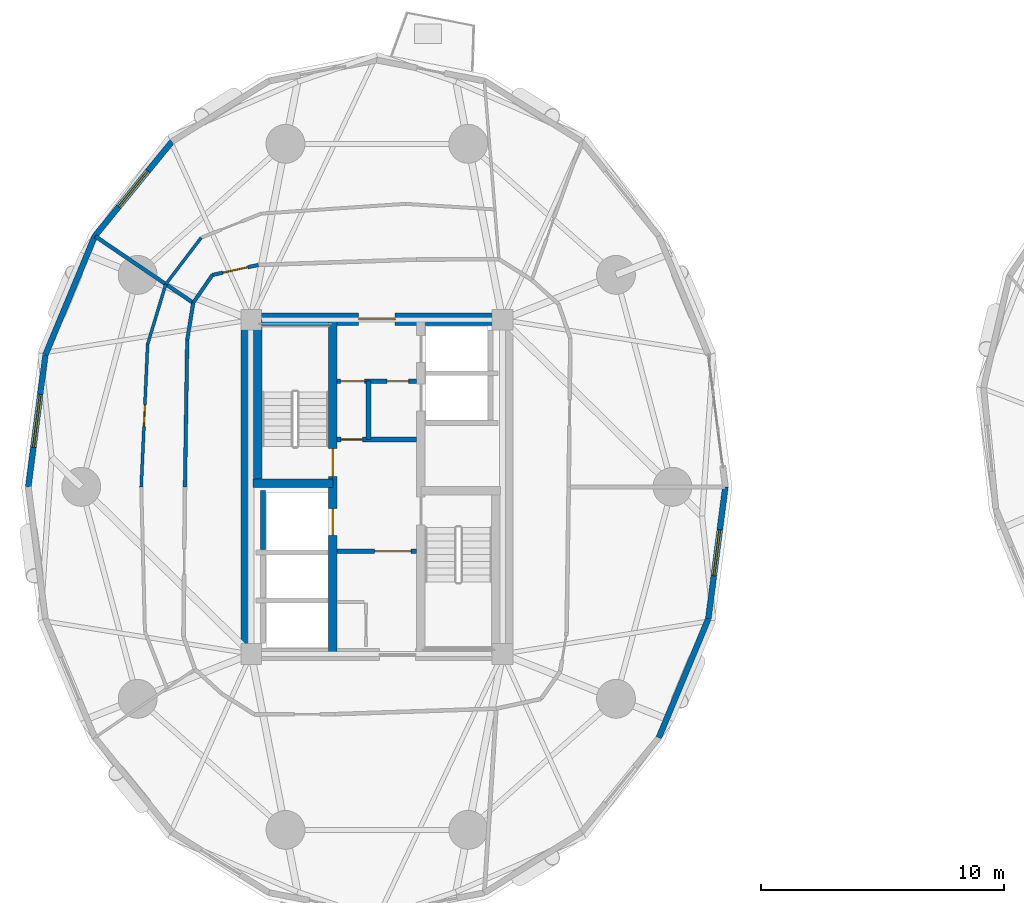
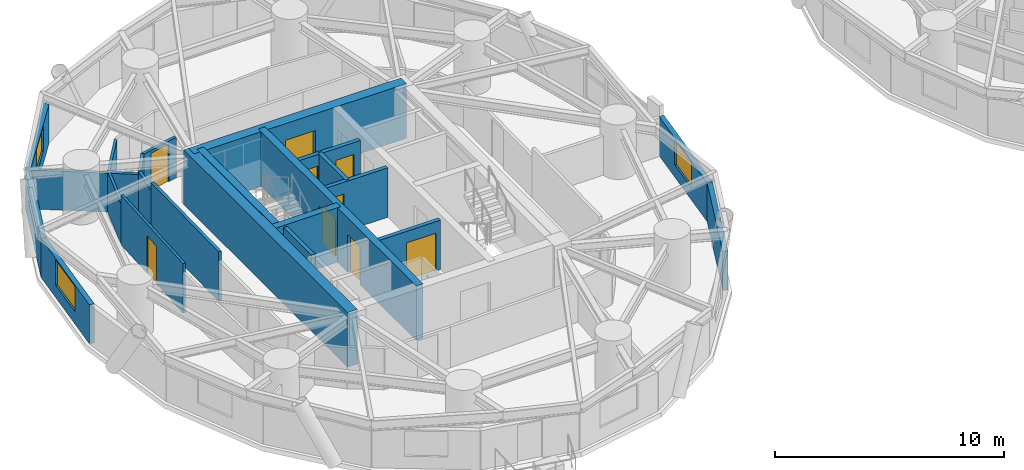
# One storey, part 8 of 15: 23 walls, 9 doors, 3 windows, 12 openings.
"""IFC4 building model written with IfcOpenShell, lengths in metres."""

import ifcopenshell
import ifcopenshell.guid

model = None  # the IFC model being written
_history = None  # IfcOwnerHistory: only IFC2X3 demands one
_inside = {}  # id of a spatial element -> (the spatial element, [elements in it])
_under = {}  # id of a project, library or spatial element -> (it, [spatial elements below it])
_declared = {}  # id of a project -> (the project, [libraries it declares])
_typed = {}  # id of a type object -> (the type object, [elements of that type])
_made_of = {}  # id of a material, layer set ... -> (it, [elements and type objects made of it])


def new_model(schema):
    """Start an empty IFC model of exactly this schema.

    Asked for "IFC4X3", IfcOpenShell would pick the latest addendum, in which some entities
    have other attributes; the version numbers below select the first issue.
    IFC2X3 requires an IfcOwnerHistory on every rooted entity: one is made here for all.
    """
    global model, _history
    if schema == "IFC4X3":
        model = ifcopenshell.file(schema_version=(4, 3, 0, 0))
    else:
        model = ifcopenshell.file(schema=schema)
    _inside.clear()
    _under.clear()
    _declared.clear()
    _typed.clear()
    _made_of.clear()
    _history = None
    if model.schema == "IFC2X3":
        org = make("IfcOrganization", Name="unknown")
        user = make(
            "IfcPersonAndOrganization",
            ThePerson=make("IfcPerson", FamilyName="unknown"),
            TheOrganization=org,
        )
        app = make(
            "IfcApplication",
            ApplicationDeveloper=org,
            Version="unknown",
            ApplicationFullName="unknown",
            ApplicationIdentifier="unknown",
        )
        _history = make(
            "IfcOwnerHistory",
            OwningUser=user,
            OwningApplication=app,
            ChangeAction="ADDED",
            CreationDate=0,
        )
    return model


def make(cls, **values):
    """One entity of the class cls with the attributes given. An attribute that is None is left unset."""
    return model.create_entity(
        cls, **{name: value for name, value in values.items() if value is not None}
    )


def rooted(cls, **values):
    """An entity with a GlobalId (a new one), such as an element, a storey or a relation."""
    return make(cls, GlobalId=ifcopenshell.guid.new(), OwnerHistory=_history, **values)


def si_unit(unit_type, name, prefix=None):
    """IfcSIUnit, for example si_unit("LENGTHUNIT", "METRE", prefix="MILLI")."""
    return make("IfcSIUnit", UnitType=unit_type, Prefix=prefix, Name=name)


def assignment(units):
    """IfcUnitAssignment: the units of a project."""
    return None if units is None else make("IfcUnitAssignment", Units=units)


def point(xyz):
    """IfcCartesianPoint."""
    return None if xyz is None else make("IfcCartesianPoint", Coordinates=xyz)


def direction(xyz):
    """IfcDirection."""
    return None if xyz is None else make("IfcDirection", DirectionRatios=xyz)


def frame(location, z_axis=None, x_axis=None):
    """IfcAxis2Placement3D, a coordinate frame: its origin and axes. An axis left out is left unset."""
    return make(
        "IfcAxis2Placement3D",
        Location=point(location),
        Axis=direction(z_axis),
        RefDirection=direction(x_axis),
    )


def frame_2d(location, x_axis=None):
    """IfcAxis2Placement2D, a coordinate frame in the plane: its origin and x axis."""
    return make(
        "IfcAxis2Placement2D", Location=point(location), RefDirection=direction(x_axis)
    )


def origin():
    """The frame at (0, 0, 0) with its axes left unset."""
    return frame((0.0, 0.0, 0.0))


def place(relative_to, where):
    """IfcLocalPlacement: puts the frame where relative to a parent placement (None: the world)."""
    return make(
        "IfcLocalPlacement", PlacementRelTo=relative_to, RelativePlacement=where
    )


def context(
    kind, dimensions, precision=None, world=None, true_north=None, identifier=None
):
    """IfcGeometricRepresentationContext, for example the 3D "Model" context."""
    return make(
        "IfcGeometricRepresentationContext",
        ContextIdentifier=identifier,
        ContextType=kind,
        CoordinateSpaceDimension=dimensions,
        Precision=precision,
        WorldCoordinateSystem=world,
        TrueNorth=true_north,
    )


def subcontext(parent, identifier, kind, view, scale=None):
    """IfcGeometricRepresentationSubContext, for example "Body" below "Model"."""
    return make(
        "IfcGeometricRepresentationSubContext",
        ContextIdentifier=identifier,
        ContextType=kind,
        ParentContext=parent,
        TargetScale=scale,
        TargetView=view,
    )


def project(units=None, contexts=None):
    """IfcProject with its units and contexts."""
    return rooted(
        "IfcProject",
        Name="project",
        RepresentationContexts=contexts,
        UnitsInContext=assignment(units),
    )


def spatial(cls, under=None, at=None, **own):
    """A site, building, storey or space (cls), placed at a placement, below another one or the project."""
    s = rooted(cls, ObjectPlacement=at, **own)
    if under is not None:
        _under.setdefault(under.id(), (under, []))[1].append(s)
    return s


def profile(cls, at=None, kind="AREA", **sizes):
    """A parametric profile (cls). Its sizes go by their IFC names, for example OverallWidth=200.0."""
    return make(cls, ProfileType=kind, Position=at, **sizes)


def rectangle(**sizes):
    """IfcRectangleProfileDef."""
    return profile("IfcRectangleProfileDef", **sizes)


def extrude(swept, where, along, depth):
    """IfcExtrudedAreaSolid: the profile swept, set in the frame where, extruded along a direction by depth."""
    return make(
        "IfcExtrudedAreaSolid",
        SweptArea=swept,
        Position=where,
        ExtrudedDirection=direction(along),
        Depth=depth,
    )


def shape(context_of_items, identifier, shape_type, items):
    """IfcShapeRepresentation: the items that make up one representation, for example the "Body"."""
    return make(
        "IfcShapeRepresentation",
        ContextOfItems=context_of_items,
        RepresentationIdentifier=identifier,
        RepresentationType=shape_type,
        Items=items,
    )


def source(mapping_origin, context_of_items, identifier, shape_type, items):
    """IfcRepresentationMap: a shape defined once, which mapped items show again and again."""
    return make(
        "IfcRepresentationMap",
        MappingOrigin=mapping_origin,
        MappedRepresentation=shape(context_of_items, identifier, shape_type, items),
    )


def transform(
    local_origin,
    x_axis=None,
    y_axis=None,
    z_axis=None,
    scale=None,
    scale2=None,
    scale3=None,
    uniform=True,
):
    """IfcCartesianTransformationOperator3D, or its non-uniform kind. x_axis, y_axis, z_axis: its Axis1, 2, 3."""
    if uniform:
        return make(
            "IfcCartesianTransformationOperator3D",
            Axis1=direction(x_axis),
            Axis2=direction(y_axis),
            LocalOrigin=point(local_origin),
            Scale=scale,
            Axis3=direction(z_axis),
        )
    return make(
        "IfcCartesianTransformationOperator3DnonUniform",
        Axis1=direction(x_axis),
        Axis2=direction(y_axis),
        LocalOrigin=point(local_origin),
        Scale=scale,
        Axis3=direction(z_axis),
        Scale2=scale2,
        Scale3=scale3,
    )


def mapped(mapping_source, mapping_target):
    """IfcMappedItem: shows the shape of a source again, moved by a transform."""
    return make(
        "IfcMappedItem", MappingSource=mapping_source, MappingTarget=mapping_target
    )


def material(Name=None, Category=None):
    """IfcMaterial."""
    return make("IfcMaterial", Name=Name, Category=Category)


def layer(
    of_material, thickness, ventilated=None, Name=None, Category=None, Priority=None
):
    """IfcMaterialLayer: one layer of a wall or slab, of a material (None: an air gap)."""
    return make(
        "IfcMaterialLayer",
        Material=of_material,
        LayerThickness=thickness,
        IsVentilated=ventilated,
        Name=Name,
        Category=Category,
        Priority=Priority,
    )


def layer_set(layers, Name=None):
    """IfcMaterialLayerSet."""
    return make("IfcMaterialLayerSet", MaterialLayers=layers, LayerSetName=Name)


def made_of(thing, what):
    """Note that an element or type object is made of a material, layer set ...; save() writes the relation."""
    if what is not None:
        _made_of.setdefault(what.id(), (what, []))[1].append(thing)
    return thing


def type_object(cls, material=None, **own):
    """A type object (cls), such as IfcWallType, which elements share."""
    return made_of(rooted(cls, **own), material)


def element(
    cls,
    number,
    at=None,
    inside=None,
    cuts=None,
    type_object=None,
    material=None,
    context=None,
    identifier="Body",
    shape_type=None,
    held_by="IfcProductDefinitionShape",
    body=None,
    shapes=None,
    **own,
):
    """One element of the class cls, such as IfcWall. Its Tag is "e" and its number.

    at: its placement. inside: the storey or other place that contains it. cuts: it is an
    opening in that element (IfcRelVoidsElement). A single representation is given by context,
    identifier, shape_type and body (its items); several are given by shapes. held_by: the class
    of the entity that holds the representations. save() writes the other relations.
    """
    e = rooted(cls, Tag="e%d" % number, ObjectPlacement=at, **own)
    if body is not None:
        shapes = [shape(context, identifier, shape_type, body)]
    if shapes is not None:
        e.Representation = make(held_by, Representations=shapes)
    if inside is not None:
        _inside.setdefault(inside.id(), (inside, []))[1].append(e)
    if cuts is not None:
        rooted(
            "IfcRelVoidsElement", RelatingBuildingElement=cuts, RelatedOpeningElement=e
        )
    if type_object is not None:
        _typed.setdefault(type_object.id(), (type_object, []))[1].append(e)
    return made_of(e, material)


def fill(opening, filler):
    """IfcRelFillsElement: the door or window that sits in an opening."""
    return rooted(
        "IfcRelFillsElement",
        RelatingOpeningElement=opening,
        RelatedBuildingElement=filler,
    )


def aggregate(whole, parts):
    """IfcRelAggregates: a whole, such as a stair, and the parts it consists of."""
    return rooted("IfcRelAggregates", RelatingObject=whole, RelatedObjects=parts)


def save(model, path):
    """Write the relations noted so far, then the file.

    IfcRelAggregates (storeys below a building ...), IfcRelContainedInSpatialStructure (elements
    in a storey), IfcRelDefinesByType, IfcRelAssociatesMaterial and IfcRelDeclares: one each for
    every whole, place, type object, material and project.
    """
    for whole, parts in _under.values():
        aggregate(whole, parts)
    for where, things in _inside.values():
        rooted(
            "IfcRelContainedInSpatialStructure",
            RelatedElements=things,
            RelatingStructure=where,
        )
    for kind, things in _typed.values():
        rooted("IfcRelDefinesByType", RelatedObjects=things, RelatingType=kind)
    for what, things in _made_of.values():
        rooted("IfcRelAssociatesMaterial", RelatedObjects=things, RelatingMaterial=what)
    for by, libraries in _declared.values():
        rooted("IfcRelDeclares", RelatingContext=by, RelatedDefinitions=libraries)
    model.write(path)


model = new_model("IFC4")

# Units and contexts
model_context = context("Model", 3, precision=1e-05, world=origin(), true_north=direction((0.0, 1.0)))
body_context = subcontext(model_context, "Body", "Model", "MODEL_VIEW")
ifc_project = project(units=[si_unit("LENGTHUNIT", "METRE"), si_unit("AREAUNIT", "SQUARE_METRE"), si_unit("VOLUMEUNIT", "CUBIC_METRE"), si_unit("PLANEANGLEUNIT", "RADIAN"), si_unit("MASSUNIT", "GRAM", prefix="KILO")], contexts=[model_context])

# Site, building, storey
site_placement = place(None, origin())
site = spatial("IfcSite", under=ifc_project, at=site_placement, CompositionType="ELEMENT")
building_placement = place(site_placement, origin())
building = spatial("IfcBuilding", under=site, at=building_placement, Name="Cununo Teusaquillo Station Towers", CompositionType="ELEMENT")
storey_placement = place(building_placement, frame((0.0, 0.0, 24.909912109375)))
storey = spatial("IfcBuildingStorey", under=building, at=storey_placement, Name="L06", CompositionType="ELEMENT", Elevation=24.909912109375)

# Wall
ifc_material_1 = material(Name="Concrete C50/60", Category="concrete")
ifc_layer_1 = layer(ifc_material_1, 0.199951171875)
ifc_layer_set_1 = layer_set([ifc_layer_1], Name="Concrete C50/60")
wall_type_1 = type_object("IfcWallType", Name="WL-CORE-200", PredefinedType="SHEAR", material=ifc_layer_set_1)
wall_1_placement = place(storey_placement, frame((11.820068359375, 21.919921875, 0.0), z_axis=(0.0, 0.0, 1.0), x_axis=(0.0, 1.0, 0.0)))
element("IfcWall", 1, at=wall_1_placement, inside=storey, type_object=wall_type_1, Name="L06 Tower A Firefighting Lift Shaft Rear Shear Wall", PredefinedType="SHEAR", context=body_context, shape_type="SweptSolid", body=[
    extrude(rectangle(XDim=2.440185546875, YDim=0.199951171875, at=frame_2d((1.22021484375, 0.0))), origin(), (0.0, 0.0, 1.0), 2.91015625),
])

# Wall, openings, doors
ifc_material_2 = material(Name="Concrete C50/60", Category="concrete")
ifc_layer_2 = layer(ifc_material_2, 0.35009765625)
ifc_layer_set_2 = layer_set([ifc_layer_2], Name="Concrete C50/60")
wall_type_2 = type_object("IfcWallType", Name="WL-CORE-350", PredefinedType="SHEAR", material=ifc_layer_set_2)
wall_2_placement = place(storey_placement, frame((14.68505859375, 17.60009765625, 0.0), z_axis=(0.0, 0.0, 1.0), x_axis=(0.0, 1.0, 0.0)))
wall_2 = element("IfcWall", 2, at=wall_2_placement, inside=storey, type_object=wall_type_2, Name="L06 Tower A Core Shear Wall IW", PredefinedType="SHEAR", context=body_context, shape_type="SweptSolid", body=[
    extrude(rectangle(XDim=13.7998046875, YDim=0.35009765625, at=frame_2d((6.89990234375, 0.0))), origin(), (0.0, 0.0, 1.0), 2.91015625),
])
shared_shape_1 = source(origin(), body_context, "Body", "SweptSolid", [
    extrude(rectangle(XDim=1.10009765625, YDim=2.014892578125, at=frame_2d((0.550048828125, 1.00732421875))), frame((0.0, 0.18505859375, 0.0), z_axis=(0.0, -1.0, 0.0), x_axis=(1.0, 0.0, 0.0)), (0.0, 0.0, 1.0), 0.3701171875),
])
opening_1_placement = place(wall_2_placement, frame((4.89990234375, 0.0, 0.0)))
opening_1 = element("IfcOpeningElement", 3, at=opening_1_placement, cuts=wall_2, Name="Opening LD-01", PredefinedType="OPENING", context=body_context, shape_type="MappedRepresentation", body=[
    mapped(shared_shape_1, transform((0.0, 0.0, 0.0), x_axis=(1.0, 0.0, 0.0), y_axis=(0.0, 1.0, 0.0), z_axis=(0.0, 0.0, 1.0), scale=1.0)),
])
shared_shape_2 = source(origin(), body_context, "Body", "SweptSolid", [
    extrude(rectangle(XDim=1.14990234375, YDim=2.02001953125, at=frame_2d((0.574951171875, 1.010009765625))), frame((0.0, 0.18505859375, 0.0), z_axis=(0.0, -1.0, 0.0), x_axis=(1.0, 0.0, 0.0)), (0.0, 0.0, 1.0), 0.3701171875),
])
opening_2_placement = place(wall_2_placement, frame((7.320068359375, 0.0, 0.0)))
opening_2 = element("IfcOpeningElement", 4, at=opening_2_placement, cuts=wall_2, Name="Opening D-ST1", PredefinedType="OPENING", context=body_context, shape_type="MappedRepresentation", body=[
    mapped(shared_shape_2, transform((0.0, 0.0, 0.0), x_axis=(1.0, 0.0, 0.0), y_axis=(0.0, 1.0, 0.0), z_axis=(0.0, 0.0, 1.0), scale=1.0)),
])
ifc_material_3 = material(Name="Galvanised fire-rated hollow steel door assembly", Category="steel")
door_type_1 = type_object("IfcDoorType", Name="DR-LIFT-1100", OperationType="SLIDING_TO_LEFT", PredefinedType="DOOR", material=ifc_material_3)
shared_shape_3 = source(origin(), body_context, "Body", "SweptSolid", [
    extrude(rectangle(XDim=1.10009765625, YDim=2.014892578125, at=frame_2d((0.550048828125, 1.00732421875))), frame((0.0, 0.02490234375, 0.0), z_axis=(0.0, -1.0, 0.0), x_axis=(1.0, 0.0, 0.0)), (0.0, 0.0, 1.0), 0.050048828125),
])
door_1_placement = place(opening_1_placement, origin())
door_1 = element("IfcDoor", 5, at=door_1_placement, inside=storey, type_object=door_type_1, Name="L06 Lift FL-T1 Sliding Landing Door", OperationType="SLIDING_TO_LEFT", OverallHeight=2.014892578125, OverallWidth=1.10009765625, PredefinedType="DOOR", context=body_context, shape_type="MappedRepresentation", body=[
    mapped(shared_shape_3, transform((0.0, 0.0, 0.0), x_axis=(1.0, 0.0, 0.0), y_axis=(0.0, 1.0, 0.0), z_axis=(0.0, 0.0, 1.0), scale=1.0)),
])
fill(opening_1, door_1)
ifc_material_4 = material(Name="Galvanised fire-rated hollow steel door assembly", Category="steel")
door_type_2 = type_object("IfcDoorType", Name="DR-STAIR-1150", OperationType="NOTDEFINED", PredefinedType="DOOR", material=ifc_material_4)
shared_shape_4 = source(origin(), body_context, "Body", "SweptSolid", [
    extrude(rectangle(XDim=1.14990234375, YDim=2.02001953125, at=frame_2d((0.574951171875, 1.010009765625))), frame((0.0, 0.02490234375, 0.0), z_axis=(0.0, -1.0, 0.0), x_axis=(1.0, 0.0, 0.0)), (0.0, 0.0, 1.0), 0.050048828125),
])
door_2_placement = place(opening_2_placement, origin())
door_2 = element("IfcDoor", 6, at=door_2_placement, inside=storey, type_object=door_type_2, Name="L06 Tower A Exit Stair 1 Fire Door", OperationType="SINGLE_SWING_RIGHT", OverallHeight=2.02001953125, OverallWidth=1.14990234375, PredefinedType="DOOR", context=body_context, shape_type="MappedRepresentation", body=[
    mapped(shared_shape_4, transform((0.0, 0.0, 0.0), x_axis=(1.0, 0.0, 0.0), y_axis=(0.0, 1.0, 0.0), z_axis=(0.0, 0.0, 1.0), scale=1.0)),
])
fill(opening_2, door_2)

# Walls
wall_3_placement = place(storey_placement, frame((11.594970703125, 24.655029296875, 0.0), z_axis=(0.0, 0.0, 1.0), x_axis=(0.0, 1.0, 0.0)))
element("IfcWall", 7, at=wall_3_placement, inside=storey, type_object=wall_type_2, Name="L06 Tower A Core Shear Wall ST1W", PredefinedType="SHEAR", context=body_context, shape_type="SweptSolid", body=[
    extrude(rectangle(XDim=6.744873046875, YDim=0.35009765625, at=frame_2d((3.37255859375, 0.0))), origin(), (0.0, 0.0, 1.0), 2.91015625),
])
wall_4_placement = place(storey_placement, frame((11.39990234375, 24.655029296875, 0.0), z_axis=(0.0, 0.0, 1.0), x_axis=(1.0, 0.0, 0.0)))
element("IfcWall", 8, at=wall_4_placement, inside=storey, type_object=wall_type_2, Name="L06 Tower A Core Shear Wall ST1S", PredefinedType="SHEAR", context=body_context, shape_type="SweptSolid", body=[
    extrude(rectangle(XDim=3.28515625, YDim=0.35009765625, at=frame_2d((1.642578125, 0.0))), origin(), (0.0, 0.0, 1.0), 2.91015625),
])
ifc_material_5 = material(Name="Concrete C60/75", Category="concrete")
ifc_layer_3 = layer(ifc_material_5, 0.5)
ifc_layer_set_3 = layer_set([ifc_layer_3], Name="Concrete C60/75")
wall_type_3 = type_object("IfcWallType", Name="WL-CORE-500", PredefinedType="SHEAR", material=ifc_layer_set_3)
wall_5_placement = place(storey_placement, frame((11.14990234375, 17.35009765625, 0.0), z_axis=(0.0, 0.0, 1.0), x_axis=(0.0, 1.0, 0.0)))
element("IfcWall", 9, at=wall_5_placement, inside=storey, type_object=wall_type_3, Name="L06 Tower A Core Shear Wall W", PredefinedType="SHEAR", context=body_context, shape_type="SweptSolid", body=[
    extrude(rectangle(XDim=14.2998046875, YDim=0.5, at=frame_2d((7.14990234375, 0.0))), origin(), (0.0, 0.0, 1.0), 2.91015625),
])

# Wall, opening, door
wall_6_placement = place(storey_placement, frame((11.14990234375, 31.39990234375, 0.0), z_axis=(0.0, 0.0, 1.0), x_axis=(1.0, 0.0, 0.0)))
wall_6 = element("IfcWall", 10, at=wall_6_placement, inside=storey, type_object=wall_type_3, Name="L06 Tower A Core Shear Wall N", PredefinedType="SHEAR", context=body_context, shape_type="SweptSolid", body=[
    extrude(rectangle(XDim=10.7001953125, YDim=0.5, at=frame_2d((5.35009765625, 0.0))), origin(), (0.0, 0.0, 1.0), 2.91015625),
])
shared_shape_5 = source(origin(), body_context, "Body", "SweptSolid", [
    extrude(rectangle(XDim=1.5, YDim=2.02001953125, at=frame_2d((0.75, 1.010009765625))), frame((0.0, 0.260009765625, 0.0), z_axis=(0.0, -1.0, 0.0), x_axis=(1.0, 0.0, 0.0)), (0.0, 0.0, 1.0), 0.52001953125),
])
opening_3_placement = place(wall_6_placement, frame((4.60009765625, 0.0, 0.0)))
opening_3 = element("IfcOpeningElement", 11, at=opening_3_placement, cuts=wall_6, Name="Opening D-LB1", PredefinedType="OPENING", context=body_context, shape_type="MappedRepresentation", body=[
    mapped(shared_shape_5, transform((0.0, 0.0, 0.0), x_axis=(1.0, 0.0, 0.0), y_axis=(0.0, 1.0, 0.0), z_axis=(0.0, 0.0, 1.0), scale=1.0)),
])
ifc_material_6 = material(Name="Galvanised fire-rated hollow steel door assembly", Category="steel")
door_type_3 = type_object("IfcDoorType", Name="DR-LOBBY-1500", OperationType="DOUBLE_DOOR_SINGLE_SWING", PredefinedType="DOOR", material=ifc_material_6)
shared_shape_6 = source(origin(), body_context, "Body", "SweptSolid", [
    extrude(rectangle(XDim=1.5, YDim=2.02001953125, at=frame_2d((0.75, 1.010009765625))), frame((0.0, 0.02490234375, 0.0), z_axis=(0.0, -1.0, 0.0), x_axis=(1.0, 0.0, 0.0)), (0.0, 0.0, 1.0), 0.050048828125),
])
door_3_placement = place(opening_3_placement, origin())
door_3 = element("IfcDoor", 12, at=door_3_placement, inside=storey, type_object=door_type_3, Name="L06 Tower A North Core Lift Lobby Door", OperationType="DOUBLE_DOOR_SINGLE_SWING", OverallHeight=2.02001953125, OverallWidth=1.5, PredefinedType="DOOR", context=body_context, shape_type="MappedRepresentation", body=[
    mapped(shared_shape_6, transform((0.0, 0.0, 0.0), x_axis=(1.0, 0.0, 0.0), y_axis=(0.0, 1.0, 0.0), z_axis=(0.0, 0.0, 1.0), scale=1.0)),
])
fill(opening_3, door_3)

# Wall, opening, window
ifc_material_7 = material(Name="Precast concrete C40/50", Category="concrete")
ifc_layer_4 = layer(ifc_material_7, 0.239990234375)
ifc_layer_set_4 = layer_set([ifc_layer_4], Name="Precast concrete C40/50")
wall_type_4 = type_object("IfcWallType", Name="WL-EXT-240", PredefinedType="SOLIDWALL", material=ifc_layer_set_4)
wall_7_placement = place(storey_placement, frame((4.889892578125, 34.827392578125, 0.0), z_axis=(0.0, 0.0, 1.0), x_axis=(0.632588557044, 0.774488035735, 0.0)))
wall_7 = element("IfcWall", 13, at=wall_7_placement, inside=storey, type_object=wall_type_4, Name="L06 Tower A Exterior Facade Wall C07", PredefinedType="SOLIDWALL", context=body_context, shape_type="SweptSolid", body=[
    extrude(rectangle(XDim=5.018798828125, YDim=0.239990234375, at=frame_2d((2.50927734375, 0.0))), origin(), (0.0, 0.0, 1.0), 2.072998046875),
])
shared_shape_7 = source(origin(), body_context, "Body", "SweptSolid", [
    extrude(rectangle(XDim=1.89990234375, YDim=1.35009765625, at=frame_2d((0.949951171875, 0.675048828125))), frame((0.0, 0.1298828125, 0.0), z_axis=(0.0, -1.0, 0.0), x_axis=(1.0, 0.0, 0.0)), (0.0, 0.0, 1.0), 0.260009765625),
])
opening_4_placement = place(wall_7_placement, frame((1.55908203125, 0.0, 0.64990234375)))
opening_4 = element("IfcOpeningElement", 14, at=opening_4_placement, cuts=wall_7, Name="Opening WN-02", PredefinedType="OPENING", context=body_context, shape_type="MappedRepresentation", body=[
    mapped(shared_shape_7, transform((0.0, 0.0, 0.0), x_axis=(1.0, 0.0, 0.0), y_axis=(0.0, 1.0, 0.0), z_axis=(0.0, 0.0, 1.0), scale=1.0)),
])
ifc_material_8 = material(Name="Operable acoustic tinted low-E double glazing", Category="glass")
window_type_1 = type_object("IfcWindowType", Name="WIN-OPER-1900", PartitioningType="DOUBLE_PANEL_VERTICAL", PredefinedType="WINDOW", material=ifc_material_8)
shared_shape_8 = source(origin(), body_context, "Body", "SweptSolid", [
    extrude(rectangle(XDim=1.89990234375, YDim=1.35009765625, at=frame_2d((0.949951171875, 0.675048828125))), frame((0.0, 0.030029296875, 0.0), z_axis=(0.0, -1.0, 0.0), x_axis=(1.0, 0.0, 0.0)), (0.0, 0.0, 1.0), 0.06005859375),
])
window_1_placement = place(opening_4_placement, origin())
window_1 = element("IfcWindow", 15, at=window_1_placement, inside=storey, type_object=window_type_1, Name="L06 Tower A Facade Window C07", OverallHeight=1.35009765625, OverallWidth=1.89990234375, PartitioningType="DOUBLE_PANEL_VERTICAL", PredefinedType="WINDOW", context=body_context, shape_type="MappedRepresentation", body=[
    mapped(shared_shape_8, transform((0.0, 0.0, 0.0), x_axis=(1.0, 0.0, 0.0), y_axis=(0.0, 1.0, 0.0), z_axis=(0.0, 0.0, 1.0), scale=1.0)),
])
fill(opening_4, window_1)

# Wall
wall_8_placement = place(storey_placement, frame((2.851318359375, 29.929443359375, 0.0), z_axis=(0.0, 0.0, 1.0), x_axis=(0.384255919668, 0.923226618009, 0.0)))
element("IfcWall", 16, at=wall_8_placement, inside=storey, type_object=wall_type_4, Name="L06 Tower A Exterior Facade Wall C08", PredefinedType="SOLIDWALL", context=body_context, shape_type="SweptSolid", body=[
    extrude(rectangle(XDim=5.30517578125, YDim=0.239990234375, at=frame_2d((2.652587890625, 0.0))), origin(), (0.0, 0.0, 1.0), 2.072998046875),
])

# Wall, opening, window
wall_9_placement = place(storey_placement, frame((2.14892578125, 24.5, 0.0), z_axis=(0.0, 0.0, 1.0), x_axis=(0.128298189174, 0.991735637483, 0.0)))
wall_9 = element("IfcWall", 17, at=wall_9_placement, inside=storey, type_object=wall_type_4, Name="L06 Tower A Exterior Facade Wall C09", PredefinedType="SOLIDWALL", context=body_context, shape_type="SweptSolid", body=[
    extrude(rectangle(XDim=5.474609375, YDim=0.239990234375, at=frame_2d((2.7373046875, 0.0))), origin(), (0.0, 0.0, 1.0), 2.072998046875),
])
shared_shape_9 = source(origin(), body_context, "Body", "SweptSolid", [
    extrude(rectangle(XDim=2.199951171875, YDim=1.35009765625, at=frame_2d((1.10009765625, 0.675048828125))), frame((0.0, 0.1298828125, 0.0), z_axis=(0.0, -1.0, 0.0), x_axis=(1.0, 0.0, 0.0)), (0.0, 0.0, 1.0), 0.260009765625),
])
opening_5_placement = place(wall_9_placement, frame((1.636962890625, 0.0, 0.64990234375)))
opening_5 = element("IfcOpeningElement", 18, at=opening_5_placement, cuts=wall_9, Name="Opening WN-01", PredefinedType="OPENING", context=body_context, shape_type="MappedRepresentation", body=[
    mapped(shared_shape_9, transform((0.0, 0.0, 0.0), x_axis=(1.0, 0.0, 0.0), y_axis=(0.0, 1.0, 0.0), z_axis=(0.0, 0.0, 1.0), scale=1.0)),
])
ifc_material_9 = material(Name="Ceramic-fritted dark low-E double glazing", Category="glass")
window_type_2 = type_object("IfcWindowType", Name="WIN-FRIT-2200", PartitioningType="DOUBLE_PANEL_VERTICAL", PredefinedType="WINDOW", material=ifc_material_9)
shared_shape_10 = source(origin(), body_context, "Body", "SweptSolid", [
    extrude(rectangle(XDim=2.199951171875, YDim=1.35009765625, at=frame_2d((1.10009765625, 0.675048828125))), frame((0.0, 0.030029296875, 0.0), z_axis=(0.0, -1.0, 0.0), x_axis=(1.0, 0.0, 0.0)), (0.0, 0.0, 1.0), 0.06005859375),
])
window_2_placement = place(opening_5_placement, origin())
window_2 = element("IfcWindow", 19, at=window_2_placement, inside=storey, type_object=window_type_2, Name="L06 Tower A Facade Window C09", OverallHeight=1.35009765625, OverallWidth=2.199951171875, PartitioningType="DOUBLE_PANEL_VERTICAL", PredefinedType="WINDOW", context=body_context, shape_type="MappedRepresentation", body=[
    mapped(shared_shape_10, transform((0.0, 0.0, 0.0), x_axis=(1.0, 0.0, 0.0), y_axis=(0.0, 1.0, 0.0), z_axis=(0.0, 0.0, 1.0), scale=1.0)),
])
fill(opening_5, window_2)

# Wall
wall_10_placement = place(storey_placement, frame((30.148681640625, 19.070556640625, 0.0), z_axis=(0.0, 0.0, 1.0), x_axis=(-0.384255919668, -0.923226618009, 0.0)))
element("IfcWall", 20, at=wall_10_placement, inside=storey, type_object=wall_type_4, Name="L06 Tower A Exterior Facade Wall C18", PredefinedType="SOLIDWALL", context=body_context, shape_type="SweptSolid", body=[
    extrude(rectangle(XDim=5.30517578125, YDim=0.239990234375, at=frame_2d((2.652587890625, 0.0))), origin(), (0.0, 0.0, 1.0), 2.072998046875),
])

# Wall, opening, window
wall_11_placement = place(storey_placement, frame((30.85107421875, 24.5, 0.0), z_axis=(0.0, 0.0, 1.0), x_axis=(-0.128298189174, -0.991735637483, 0.0)))
wall_11 = element("IfcWall", 21, at=wall_11_placement, inside=storey, type_object=wall_type_4, Name="L06 Tower A Exterior Facade Wall C19", PredefinedType="SOLIDWALL", context=body_context, shape_type="SweptSolid", body=[
    extrude(rectangle(XDim=5.474609375, YDim=0.239990234375, at=frame_2d((2.7373046875, 0.0))), origin(), (0.0, 0.0, 1.0), 2.072998046875),
])
opening_6_placement = place(wall_11_placement, frame((1.787109375, 0.0, 0.64990234375)))
opening_6 = element("IfcOpeningElement", 22, at=opening_6_placement, cuts=wall_11, Name="Opening WN-02", PredefinedType="OPENING", context=body_context, shape_type="MappedRepresentation", body=[
    mapped(shared_shape_7, transform((0.0, 0.0, 0.0), x_axis=(1.0, 0.0, 0.0), y_axis=(0.0, 1.0, 0.0), z_axis=(0.0, 0.0, 1.0), scale=1.0)),
])
window_3_placement = place(opening_6_placement, origin())
window_3 = element("IfcWindow", 23, at=window_3_placement, inside=storey, type_object=window_type_1, Name="L06 Tower A Facade Window C19", OverallHeight=1.35009765625, OverallWidth=1.89990234375, PartitioningType="DOUBLE_PANEL_VERTICAL", PredefinedType="WINDOW", context=body_context, shape_type="MappedRepresentation", body=[
    mapped(shared_shape_8, transform((0.0, 0.0, 0.0), x_axis=(1.0, 0.0, 0.0), y_axis=(0.0, 1.0, 0.0), z_axis=(0.0, 0.0, 1.0), scale=1.0)),
])
fill(opening_6, window_3)

# Walls
ifc_material_10 = material(Name="Fire-rated gypsum plasterboard partition assembly", Category="gypsum")
ifc_layer_5 = layer(ifc_material_10, 0.125)
ifc_layer_set_5 = layer_set([ifc_layer_5], Name="Fire-rated gypsum plasterboard partition assembly")
wall_type_5 = type_object("IfcWallType", Name="WL-PART-125", PredefinedType="PARTITIONING", material=ifc_layer_set_5)
wall_12_placement = place(storey_placement, frame((9.2666015625, 34.75732421875, 0.0), z_axis=(0.0, 0.0, 1.0), x_axis=(-0.60573716219, -0.795664810295, 0.0)))
element("IfcWall", 24, at=wall_12_placement, inside=storey, type_object=wall_type_5, Name="L06 Tower A Simultaneous Interpretation Hall Concentric Partition Wall C07", PredefinedType="PARTITIONING", context=body_context, shape_type="SweptSolid", body=[
    extrude(rectangle(XDim=2.40380859375, YDim=0.125, at=frame_2d((1.201904296875, 0.0))), origin(), (0.0, 0.0, 1.0), 2.1591796875),
])
wall_13_placement = place(storey_placement, frame((7.810546875, 32.8447265625, 0.0), z_axis=(0.0, 0.0, 1.0), x_axis=(-0.289357304294, -0.957221160679, 0.0)))
element("IfcWall", 25, at=wall_13_placement, inside=storey, type_object=wall_type_5, Name="L06 Tower A Press & Broadcast Briefing Hall Concentric Partition Wall C08", PredefinedType="PARTITIONING", context=body_context, shape_type="SweptSolid", body=[
    extrude(rectangle(XDim=2.585205078125, YDim=0.125, at=frame_2d((1.29248046875, 0.0))), origin(), (0.0, 0.0, 1.0), 2.1591796875),
])

# Wall, opening, door
wall_14_placement = place(storey_placement, frame((7.0625, 30.3701171875, 0.0), z_axis=(0.0, 0.0, 1.0), x_axis=(-0.044789476409, -0.998996447843, 0.0)))
wall_14 = element("IfcWall", 26, at=wall_14_placement, inside=storey, type_object=wall_type_5, Name="L06 Tower A Press & Broadcast Briefing Hall Concentric Partition Wall C09", PredefinedType="PARTITIONING", context=body_context, shape_type="SweptSolid", body=[
    extrude(rectangle(XDim=5.8759765625, YDim=0.125, at=frame_2d((2.93798828125, 0.0))), origin(), (0.0, 0.0, 1.0), 2.635009765625),
])
shared_shape_11 = source(origin(), body_context, "Body", "SweptSolid", [
    extrude(rectangle(XDim=0.89990234375, YDim=2.0048828125, at=frame_2d((0.449951171875, 1.00244140625))), frame((0.0, 0.072509765625, 0.0), z_axis=(0.0, -1.0, 0.0), x_axis=(1.0, 0.0, 0.0)), (0.0, 0.0, 1.0), 0.14501953125),
])
opening_7_placement = place(wall_14_placement, frame((2.488037109375, 0.0, 0.0)))
opening_7 = element("IfcOpeningElement", 27, at=opening_7_placement, cuts=wall_14, Name="Opening D-IN1", PredefinedType="OPENING", context=body_context, shape_type="MappedRepresentation", body=[
    mapped(shared_shape_11, transform((0.0, 0.0, 0.0), x_axis=(1.0, 0.0, 0.0), y_axis=(0.0, 1.0, 0.0), z_axis=(0.0, 0.0, 1.0), scale=1.0)),
])
ifc_material_11 = material(Name="Acoustic solid-core hardwood leaf assembly", Category="wood")
door_type_4 = type_object("IfcDoorType", Name="DR-INT-900", OperationType="NOTDEFINED", PredefinedType="DOOR", material=ifc_material_11)
shared_shape_12 = source(origin(), body_context, "Body", "SweptSolid", [
    extrude(rectangle(XDim=0.89990234375, YDim=2.0048828125, at=frame_2d((0.449951171875, 1.00244140625))), frame((0.0, 0.02490234375, 0.0), z_axis=(0.0, -1.0, 0.0), x_axis=(1.0, 0.0, 0.0)), (0.0, 0.0, 1.0), 0.050048828125),
])
door_4_placement = place(opening_7_placement, origin())
door_4 = element("IfcDoor", 28, at=door_4_placement, inside=storey, type_object=door_type_4, Name="L06 Tower A Press & Broadcast Briefing Hall Connecting Door", OperationType="SINGLE_SWING_LEFT", OverallHeight=2.0048828125, OverallWidth=0.89990234375, PredefinedType="DOOR", context=body_context, shape_type="MappedRepresentation", body=[
    mapped(shared_shape_12, transform((0.0, 0.0, 0.0), x_axis=(1.0, 0.0, 0.0), y_axis=(0.0, 1.0, 0.0), z_axis=(0.0, 0.0, 1.0), scale=1.0)),
])
fill(opening_7, door_4)

ifc_material_12 = material(Name="Fire-rated gypsum plasterboard partition assembly", Category="gypsum")
ifc_layer_6 = layer(ifc_material_12, 0.14990234375)
ifc_layer_set_6 = layer_set([ifc_layer_6], Name="Fire-rated gypsum plasterboard partition assembly")
wall_type_6 = type_object("IfcWallType", Name="WL-PART-150", PredefinedType="PARTITIONING", material=ifc_layer_set_6)
wall_15_placement = place(storey_placement, frame((11.619873046875, 33.63720703125, 0.0), z_axis=(0.0, 0.0, 1.0), x_axis=(-0.97702579435, -0.213121085711, 0.0)))
wall_15 = element("IfcWall", 29, at=wall_15_placement, inside=storey, type_object=wall_type_6, Name="L06 Tower A Corridor Ring Wall C06", PredefinedType="PARTITIONING", context=body_context, shape_type="SweptSolid", body=[
    extrude(rectangle(XDim=1.934814453125, YDim=0.14990234375, at=frame_2d((0.96728515625, 0.0))), origin(), (0.0, 0.0, 1.0), 2.1591796875),
])
shared_shape_13 = source(origin(), body_context, "Body", "SweptSolid", [
    extrude(rectangle(XDim=1.050048828125, YDim=2.014892578125, at=frame_2d((0.52490234375, 1.00732421875))), frame((0.0, 0.0849609375, 0.0), z_axis=(0.0, -1.0, 0.0), x_axis=(1.0, 0.0, 0.0)), (0.0, 0.0, 1.0), 0.169921875),
])
opening_8_placement = place(wall_15_placement, frame((0.4423828125, 0.0, 0.0)))
opening_8 = element("IfcOpeningElement", 30, at=opening_8_placement, cuts=wall_15, Name="Opening D-SU1", PredefinedType="OPENING", context=body_context, shape_type="MappedRepresentation", body=[
    mapped(shared_shape_13, transform((0.0, 0.0, 0.0), x_axis=(1.0, 0.0, 0.0), y_axis=(0.0, 1.0, 0.0), z_axis=(0.0, 0.0, 1.0), scale=1.0)),
])
ifc_material_13 = material(Name="Acoustic solid-core hardwood leaf assembly", Category="wood")
door_type_5 = type_object("IfcDoorType", Name="DR-SUITE-1050", OperationType="NOTDEFINED", PredefinedType="DOOR", material=ifc_material_13)
shared_shape_14 = source(origin(), body_context, "Body", "SweptSolid", [
    extrude(rectangle(XDim=1.050048828125, YDim=2.014892578125, at=frame_2d((0.52490234375, 1.00732421875))), frame((0.0, 0.02490234375, 0.0), z_axis=(0.0, -1.0, 0.0), x_axis=(1.0, 0.0, 0.0)), (0.0, 0.0, 1.0), 0.050048828125),
])
door_5_placement = place(opening_8_placement, origin())
door_5 = element("IfcDoor", 31, at=door_5_placement, inside=storey, type_object=door_type_5, Name="L06 Tower A Simultaneous Interpretation Hall Entrance Door", OperationType="SINGLE_SWING_RIGHT", OverallHeight=2.014892578125, OverallWidth=1.050048828125, PredefinedType="DOOR", context=body_context, shape_type="MappedRepresentation", body=[
    mapped(shared_shape_14, transform((0.0, 0.0, 0.0), x_axis=(1.0, 0.0, 0.0), y_axis=(0.0, 1.0, 0.0), z_axis=(0.0, 0.0, 1.0), scale=1.0)),
])
fill(opening_8, door_5)

# Walls
wall_16_placement = place(storey_placement, frame((9.7294921875, 33.224853515625, 0.0), z_axis=(0.0, 0.0, 1.0), x_axis=(-0.567183649484, -0.82359134755, 0.0)))
element("IfcWall", 32, at=wall_16_placement, inside=storey, type_object=wall_type_6, Name="L06 Tower A Corridor Ring Wall C07", PredefinedType="PARTITIONING", context=body_context, shape_type="SweptSolid", body=[
    extrude(rectangle(XDim=1.39208984375, YDim=0.14990234375, at=frame_2d((0.696044921875, 0.0))), origin(), (0.0, 0.0, 1.0), 2.1591796875),
])
wall_17_placement = place(storey_placement, frame((8.93994140625, 32.078369140625, 0.0), z_axis=(0.0, 0.0, 1.0), x_axis=(-0.159148467753, -0.98725466077, 0.0)))
element("IfcWall", 33, at=wall_17_placement, inside=storey, type_object=wall_type_6, Name="L06 Tower A Corridor Ring Wall C08", PredefinedType="PARTITIONING", context=body_context, shape_type="SweptSolid", body=[
    extrude(rectangle(XDim=1.553955078125, YDim=0.14990234375, at=frame_2d((0.77685546875, 0.0))), origin(), (0.0, 0.0, 1.0), 2.205078125),
])
wall_18_placement = place(storey_placement, frame((8.692626953125, 30.544189453125, 0.0), z_axis=(0.0, 0.0, 1.0), x_axis=(-0.015307007986, -0.99988284089, 0.0)))
element("IfcWall", 34, at=wall_18_placement, inside=storey, type_object=wall_type_6, Name="L06 Tower A Corridor Ring Wall C09", PredefinedType="PARTITIONING", context=body_context, shape_type="SweptSolid", body=[
    extrude(rectangle(XDim=6.044921875, YDim=0.14990234375, at=frame_2d((3.0224609375, 0.0))), origin(), (0.0, 0.0, 1.0), 2.635009765625),
])
ifc_material_14 = material(Name="Fire-rated gypsum plasterboard partition assembly", Category="gypsum")
ifc_layer_7 = layer(ifc_material_14, 0.159912109375)
ifc_layer_set_7 = layer_set([ifc_layer_7], Name="Fire-rated gypsum plasterboard partition assembly")
wall_type_7 = type_object("IfcWallType", Name="WL-PART-160", PredefinedType="PARTITIONING", material=ifc_layer_set_7)
wall_19_placement = place(storey_placement, frame((8.93994140625, 32.078369140625, 0.0), z_axis=(0.0, 0.0, 1.0), x_axis=(-0.827476605417, 0.561500193666, 0.0)))
element("IfcWall", 35, at=wall_19_placement, inside=storey, type_object=wall_type_7, Name="L06 Tower A Radial Suite Partition R03", PredefinedType="PARTITIONING", context=body_context, shape_type="SweptSolid", body=[
    extrude(rectangle(XDim=4.875, YDim=0.159912109375, at=frame_2d((2.4375, 0.0))), origin(), (0.0, 0.0, 1.0), 2.072998046875),
])

# Wall, opening, door
ifc_material_15 = material(Name="Fire-rated gypsum plasterboard partition assembly", Category="gypsum")
ifc_layer_8 = layer(ifc_material_15, 0.199951171875)
ifc_layer_set_8 = layer_set([ifc_layer_8], Name="Fire-rated gypsum plasterboard partition assembly")
wall_type_8 = type_object("IfcWallType", Name="WL-PART-200", PredefinedType="PARTITIONING", material=ifc_layer_set_8)
wall_20_placement = place(storey_placement, frame((14.860107421875, 21.85009765625, 0.0), z_axis=(0.0, 0.0, 1.0), x_axis=(1.0, 0.0, 0.0)))
wall_20 = element("IfcWall", 36, at=wall_20_placement, inside=storey, type_object=wall_type_8, Name="L06 Tower A Firefighting Lift Lobby South Fire Wall", PredefinedType="PARTITIONING", context=body_context, shape_type="SweptSolid", body=[
    extrude(rectangle(XDim=3.27978515625, YDim=0.199951171875, at=frame_2d((1.639892578125, 0.0))), origin(), (0.0, 0.0, 1.0), 2.635009765625),
])
shared_shape_15 = source(origin(), body_context, "Body", "SweptSolid", [
    extrude(rectangle(XDim=1.5, YDim=2.02001953125, at=frame_2d((0.75, 1.010009765625))), frame((0.0, 0.10986328125, 0.0), z_axis=(0.0, -1.0, 0.0), x_axis=(1.0, 0.0, 0.0)), (0.0, 0.0, 1.0), 0.219970703125),
])
opening_9_placement = place(wall_20_placement, frame((1.550048828125, 0.0, 0.0)))
opening_9 = element("IfcOpeningElement", 37, at=opening_9_placement, cuts=wall_20, Name="Opening D-LB1", PredefinedType="OPENING", context=body_context, shape_type="MappedRepresentation", body=[
    mapped(shared_shape_15, transform((0.0, 0.0, 0.0), x_axis=(1.0, 0.0, 0.0), y_axis=(0.0, 1.0, 0.0), z_axis=(0.0, 0.0, 1.0), scale=1.0)),
])
door_6_placement = place(opening_9_placement, origin())
door_6 = element("IfcDoor", 38, at=door_6_placement, inside=storey, type_object=door_type_3, Name="L06 Tower A Firefighting Lift Lobby South Fire Door", OperationType="DOUBLE_DOOR_SINGLE_SWING", OverallHeight=2.02001953125, OverallWidth=1.5, PredefinedType="DOOR", context=body_context, shape_type="MappedRepresentation", body=[
    mapped(shared_shape_6, transform((0.0, 0.0, 0.0), x_axis=(1.0, 0.0, 0.0), y_axis=(0.0, 1.0, 0.0), z_axis=(0.0, 0.0, 1.0), scale=1.0)),
])
fill(opening_9, door_6)

wall_21_placement = place(storey_placement, frame((14.860107421875, 26.449951171875, 0.0), z_axis=(0.0, 0.0, 1.0), x_axis=(1.0, 0.0, 0.0)))
wall_21 = element("IfcWall", 39, at=wall_21_placement, inside=storey, type_object=wall_type_8, Name="L06 Tower A Firefighting Lift Lobby North Fire Wall", PredefinedType="PARTITIONING", context=body_context, shape_type="SweptSolid", body=[
    extrude(rectangle(XDim=3.27978515625, YDim=0.199951171875, at=frame_2d((1.639892578125, 0.0))), origin(), (0.0, 0.0, 1.0), 2.635009765625),
])
shared_shape_16 = source(origin(), body_context, "Body", "SweptSolid", [
    extrude(rectangle(XDim=0.89990234375, YDim=2.0048828125, at=frame_2d((0.449951171875, 1.00244140625))), frame((0.0, 0.10986328125, 0.0), z_axis=(0.0, -1.0, 0.0), x_axis=(1.0, 0.0, 0.0)), (0.0, 0.0, 1.0), 0.219970703125),
])
opening_10_placement = place(wall_21_placement, frame((0.159912109375, 0.0, 0.0)))
opening_10 = element("IfcOpeningElement", 40, at=opening_10_placement, cuts=wall_21, Name="Opening D-SR1", PredefinedType="OPENING", context=body_context, shape_type="MappedRepresentation", body=[
    mapped(shared_shape_16, transform((0.0, 0.0, 0.0), x_axis=(1.0, 0.0, 0.0), y_axis=(0.0, 1.0, 0.0), z_axis=(0.0, 0.0, 1.0), scale=1.0)),
])
ifc_material_16 = material(Name="Galvanised fire-rated hollow steel door assembly", Category="steel")
door_type_6 = type_object("IfcDoorType", Name="DR-STORE-900", OperationType="NOTDEFINED", PredefinedType="DOOR", material=ifc_material_16)
door_7_placement = place(opening_10_placement, origin())
door_7 = element("IfcDoor", 41, at=door_7_placement, inside=storey, type_object=door_type_6, Name="L06 Tower A Stair 1 Protected Vestibule South Door", OperationType="SINGLE_SWING_RIGHT", OverallHeight=2.0048828125, OverallWidth=0.89990234375, PredefinedType="DOOR", context=body_context, shape_type="MappedRepresentation", body=[
    mapped(shared_shape_12, transform((0.0, 0.0, 0.0), x_axis=(1.0, 0.0, 0.0), y_axis=(0.0, 1.0, 0.0), z_axis=(0.0, 0.0, 1.0), scale=1.0)),
])
fill(opening_10, door_7)

# Wall
wall_22_placement = place(storey_placement, frame((16.14990234375, 26.449951171875, 0.0), z_axis=(0.0, 0.0, 1.0), x_axis=(0.0, 1.0, 0.0)))
element("IfcWall", 42, at=wall_22_placement, inside=storey, type_object=wall_type_8, Name="L06 Tower A Stair 1 Vestibule Partition Wall", PredefinedType="PARTITIONING", context=body_context, shape_type="SweptSolid", body=[
    extrude(rectangle(XDim=2.400146484375, YDim=0.199951171875, at=frame_2d((1.2001953125, 0.0))), origin(), (0.0, 0.0, 1.0), 2.635009765625),
])

# Wall, openings, doors
wall_23_placement = place(storey_placement, frame((14.860107421875, 28.85009765625, 0.0), z_axis=(0.0, 0.0, 1.0), x_axis=(1.0, 0.0, 0.0)))
wall_23 = element("IfcWall", 43, at=wall_23_placement, inside=storey, type_object=wall_type_8, Name="L06 Tower A North Lift Lobby South Fire Wall", PredefinedType="PARTITIONING", context=body_context, shape_type="SweptSolid", body=[
    extrude(rectangle(XDim=3.27978515625, YDim=0.199951171875, at=frame_2d((1.639892578125, 0.0))), origin(), (0.0, 0.0, 1.0), 2.635009765625),
])
shared_shape_17 = source(origin(), body_context, "Body", "SweptSolid", [
    extrude(rectangle(XDim=1.0, YDim=2.014892578125, at=frame_2d((0.5, 1.00732421875))), frame((0.0, 0.10986328125, 0.0), z_axis=(0.0, -1.0, 0.0), x_axis=(1.0, 0.0, 0.0)), (0.0, 0.0, 1.0), 0.219970703125),
])
opening_11_placement = place(wall_23_placement, frame((0.139892578125, 0.0, 0.0)))
opening_11 = element("IfcOpeningElement", 44, at=opening_11_placement, cuts=wall_23, Name="Opening D-AC1", PredefinedType="OPENING", context=body_context, shape_type="MappedRepresentation", body=[
    mapped(shared_shape_17, transform((0.0, 0.0, 0.0), x_axis=(1.0, 0.0, 0.0), y_axis=(0.0, 1.0, 0.0), z_axis=(0.0, 0.0, 1.0), scale=1.0)),
])
opening_12_placement = place(wall_23_placement, frame((2.050048828125, 0.0, 0.0)))
opening_12 = element("IfcOpeningElement", 45, at=opening_12_placement, cuts=wall_23, Name="Opening D-SR1", PredefinedType="OPENING", context=body_context, shape_type="MappedRepresentation", body=[
    mapped(shared_shape_16, transform((0.0, 0.0, 0.0), x_axis=(1.0, 0.0, 0.0), y_axis=(0.0, 1.0, 0.0), z_axis=(0.0, 0.0, 1.0), scale=1.0)),
])
door_8_placement = place(opening_12_placement, origin())
door_8 = element("IfcDoor", 46, at=door_8_placement, inside=storey, type_object=door_type_6, Name="L06 Tower A Core Housekeeping & Linen Store Door", OperationType="SINGLE_SWING_LEFT", OverallHeight=2.0048828125, OverallWidth=0.89990234375, PredefinedType="DOOR", context=body_context, shape_type="MappedRepresentation", body=[
    mapped(shared_shape_12, transform((0.0, 0.0, 0.0), x_axis=(1.0, 0.0, 0.0), y_axis=(0.0, 1.0, 0.0), z_axis=(0.0, 0.0, 1.0), scale=1.0)),
])
fill(opening_12, door_8)
ifc_material_17 = material(Name="Acoustic solid-core hardwood leaf assembly", Category="wood")
door_type_7 = type_object("IfcDoorType", Name="DR-ACC-1000", OperationType="NOTDEFINED", PredefinedType="DOOR", material=ifc_material_17)
shared_shape_18 = source(origin(), body_context, "Body", "SweptSolid", [
    extrude(rectangle(XDim=1.0, YDim=2.014892578125, at=frame_2d((0.5, 1.00732421875))), frame((0.0, 0.02490234375, 0.0), z_axis=(0.0, -1.0, 0.0), x_axis=(1.0, 0.0, 0.0)), (0.0, 0.0, 1.0), 0.050048828125),
])
door_9_placement = place(opening_11_placement, origin())
door_9 = element("IfcDoor", 47, at=door_9_placement, inside=storey, type_object=door_type_7, Name="L06 Tower A North Lift Lobby to Stair 1 Vestibule Door", OperationType="SINGLE_SWING_LEFT", OverallHeight=2.014892578125, OverallWidth=1.0, PredefinedType="DOOR", context=body_context, shape_type="MappedRepresentation", body=[
    mapped(shared_shape_18, transform((0.0, 0.0, 0.0), x_axis=(1.0, 0.0, 0.0), y_axis=(0.0, 1.0, 0.0), z_axis=(0.0, 0.0, 1.0), scale=1.0)),
])
fill(opening_11, door_9)

save(model, "model.ifc")
